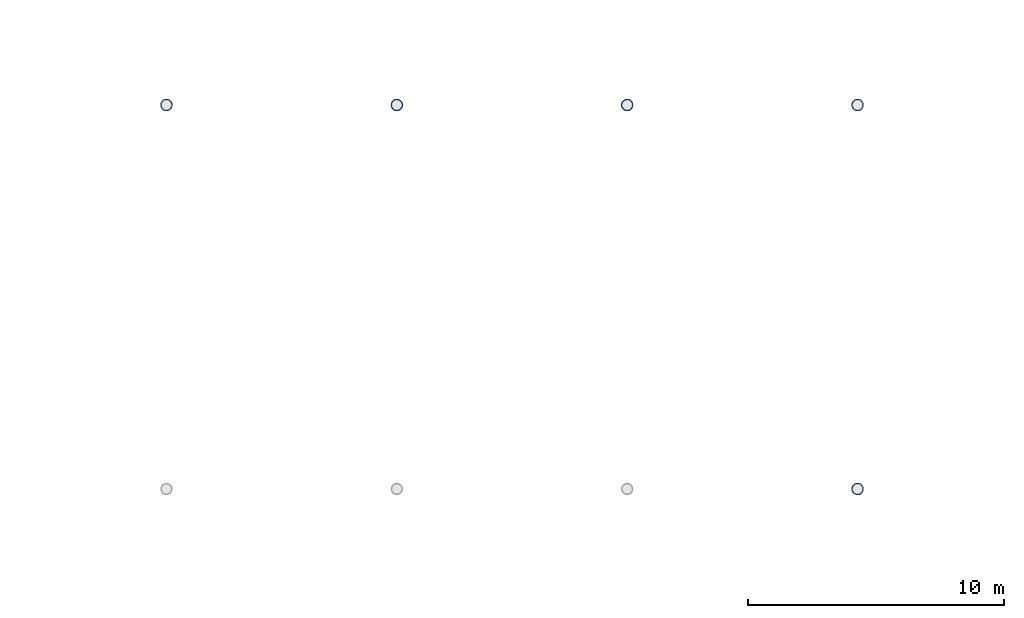
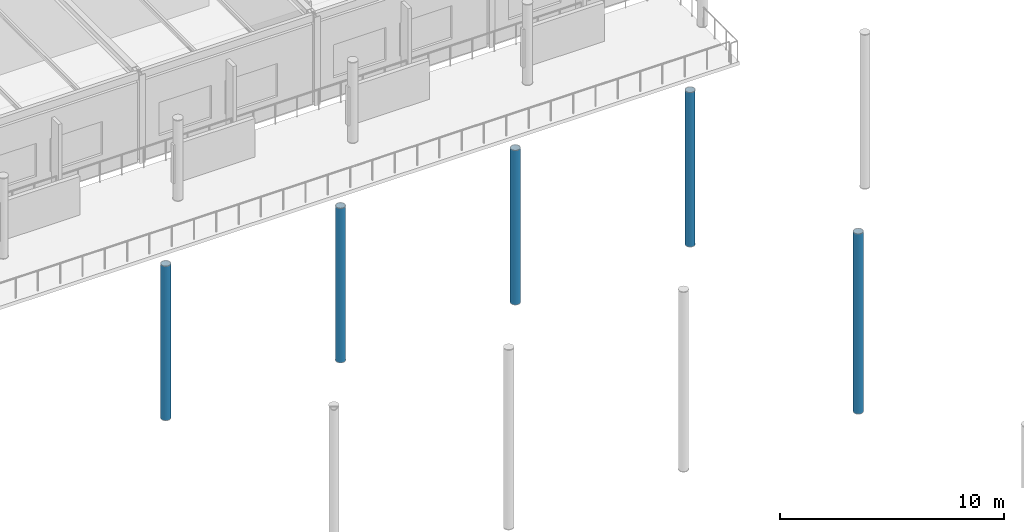
# One storey, part 8 of 143: 5 columns.
"""IFC4 building model written with IfcOpenShell, lengths in metres."""

from ifc_helpers import new_model, si_unit, direction, frame, origin, origin_2d, place, context, subcontext, project, spatial, hollow_circle, extrude, material, material_profile, profile_set, type_object, element, save


model = new_model("IFC4")

# Units and contexts
model_context = context("Model", 3, precision=1e-05, world=origin(), true_north=direction((0.0, 1.0)))
body_context = subcontext(model_context, "Body", "Model", "MODEL_VIEW")
ifc_project = project(units=[si_unit("LENGTHUNIT", "METRE"), si_unit("AREAUNIT", "SQUARE_METRE"), si_unit("VOLUMEUNIT", "CUBIC_METRE"), si_unit("PLANEANGLEUNIT", "RADIAN"), si_unit("MASSUNIT", "GRAM", prefix="KILO")], contexts=[model_context])

# Site, building, storey
site_placement = place(None, origin())
site = spatial("IfcSite", under=ifc_project, at=site_placement, CompositionType="ELEMENT")
building_placement = place(site_placement, origin())
building = spatial("IfcBuilding", under=site, at=building_placement, Name="Marlcrest Central Station", CompositionType="ELEMENT")
storey_placement = place(building_placement, frame((0.0, 0.0, 4.800048828125)))
storey = spatial("IfcBuildingStorey", under=building, at=storey_placement, Name="L01", CompositionType="ELEMENT", Elevation=4.800048828125)

# Columns
ifc_material = material(Name="Steel S355", Category="steel")
ifc_material_profile = material_profile(ifc_material, hollow_circle(Radius=0.228515625, WallThickness=0.02001953125, at=origin_2d()), Name="CHS 457x20")
ifc_profile_set = profile_set([ifc_material_profile], Name="Steel S355")
column_type = type_object("IfcColumnType", Name="SC-11", PredefinedType="COLUMN", material=ifc_profile_set)
for number, where, z_axis, x_axis, name in (
    (1, (36.0, 81.0, 0.0), (0.0, 0.0, 1.0), (1.0, 0.0, 0.0), "col-SC-11-L01-0459"),
    (2, (45.0, 81.0, 0.0), (0.0, 0.0, 1.0), (1.0, 0.0, 0.0), "col-SC-11-L01-0469"),
    (3, (54.0, 81.0, 0.0), (0.0, 0.0, 1.0), (1.0, 0.0, 0.0), "col-SC-11-L01-0479"),
):
    element("IfcColumn", number, at=place(storey_placement, frame(where, z_axis=z_axis, x_axis=x_axis)), inside=storey, type_object=column_type, Name=name, PredefinedType="COLUMN", context=body_context, shape_type="SweptSolid", body=[
        extrude(hollow_circle(Radius=0.228515625, WallThickness=0.02001953125, at=origin_2d()), origin(), (0.0, 0.0, 1.0), 8.40380859375),
    ])
column_1_placement = place(storey_placement, frame((63.0, 66.0, 0.0), z_axis=(0.0, 0.0, 1.0), x_axis=(1.0, 0.0, 0.0)))
element("IfcColumn", 4, at=column_1_placement, inside=storey, type_object=column_type, Name="col-SC-11-L01-0487", PredefinedType="COLUMN", context=body_context, shape_type="SweptSolid", body=[
    extrude(hollow_circle(Radius=0.228515625, WallThickness=0.02001953125, at=origin_2d()), origin(), (0.0, 0.0, 1.0), 9.800048828125),
])
column_2_placement = place(storey_placement, frame((63.0, 81.0, 0.0), z_axis=(0.0, 0.0, 1.0), x_axis=(1.0, 0.0, 0.0)))
element("IfcColumn", 5, at=column_2_placement, inside=storey, type_object=column_type, Name="col-SC-11-L01-0489", PredefinedType="COLUMN", context=body_context, shape_type="SweptSolid", body=[
    extrude(hollow_circle(Radius=0.228515625, WallThickness=0.02001953125, at=origin_2d()), origin(), (0.0, 0.0, 1.0), 8.40380859375),
])

save(model, "model.ifc")
